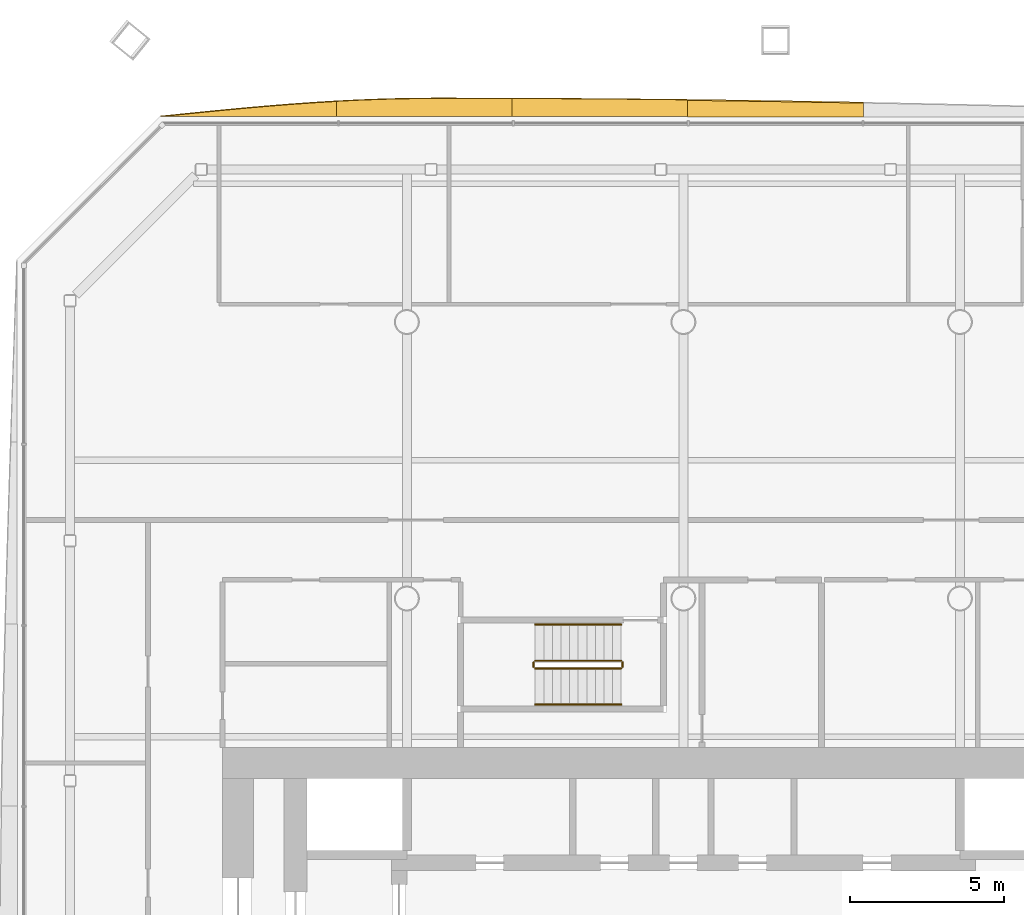
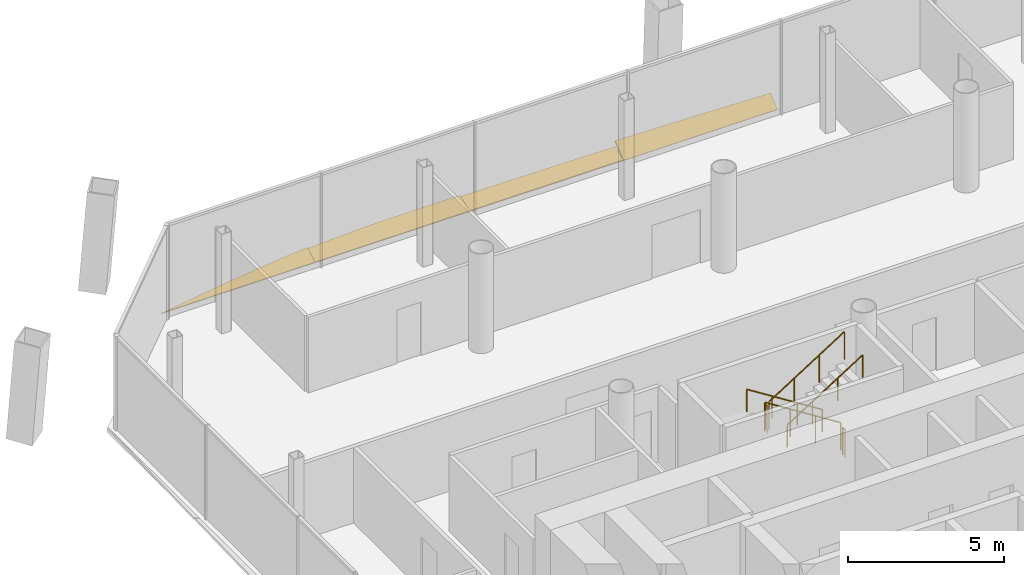
# One storey, part 18 of 19: 6 railings, 4 shading devices.
"""IFC4 building model written with IfcOpenShell, lengths in metres."""

import ifcopenshell
import ifcopenshell.guid

model = None  # the IFC model being written
_history = None  # IfcOwnerHistory: only IFC2X3 demands one
_inside = {}  # id of a spatial element -> (the spatial element, [elements in it])
_under = {}  # id of a project, library or spatial element -> (it, [spatial elements below it])
_declared = {}  # id of a project -> (the project, [libraries it declares])
_typed = {}  # id of a type object -> (the type object, [elements of that type])
_made_of = {}  # id of a material, layer set ... -> (it, [elements and type objects made of it])


def new_model(schema):
    """Start an empty IFC model of exactly this schema.

    Asked for "IFC4X3", IfcOpenShell would pick the latest addendum, in which some entities
    have other attributes; the version numbers below select the first issue.
    IFC2X3 requires an IfcOwnerHistory on every rooted entity: one is made here for all.
    """
    global model, _history
    if schema == "IFC4X3":
        model = ifcopenshell.file(schema_version=(4, 3, 0, 0))
    else:
        model = ifcopenshell.file(schema=schema)
    _inside.clear()
    _under.clear()
    _declared.clear()
    _typed.clear()
    _made_of.clear()
    _history = None
    if model.schema == "IFC2X3":
        org = make("IfcOrganization", Name="unknown")
        user = make(
            "IfcPersonAndOrganization",
            ThePerson=make("IfcPerson", FamilyName="unknown"),
            TheOrganization=org,
        )
        app = make(
            "IfcApplication",
            ApplicationDeveloper=org,
            Version="unknown",
            ApplicationFullName="unknown",
            ApplicationIdentifier="unknown",
        )
        _history = make(
            "IfcOwnerHistory",
            OwningUser=user,
            OwningApplication=app,
            ChangeAction="ADDED",
            CreationDate=0,
        )
    return model


def make(cls, **values):
    """One entity of the class cls with the attributes given. An attribute that is None is left unset."""
    return model.create_entity(
        cls, **{name: value for name, value in values.items() if value is not None}
    )


def rooted(cls, **values):
    """An entity with a GlobalId (a new one), such as an element, a storey or a relation."""
    return make(cls, GlobalId=ifcopenshell.guid.new(), OwnerHistory=_history, **values)


def si_unit(unit_type, name, prefix=None):
    """IfcSIUnit, for example si_unit("LENGTHUNIT", "METRE", prefix="MILLI")."""
    return make("IfcSIUnit", UnitType=unit_type, Prefix=prefix, Name=name)


def assignment(units):
    """IfcUnitAssignment: the units of a project."""
    return None if units is None else make("IfcUnitAssignment", Units=units)


def point(xyz):
    """IfcCartesianPoint."""
    return None if xyz is None else make("IfcCartesianPoint", Coordinates=xyz)


def direction(xyz):
    """IfcDirection."""
    return None if xyz is None else make("IfcDirection", DirectionRatios=xyz)


def frame(location, z_axis=None, x_axis=None):
    """IfcAxis2Placement3D, a coordinate frame: its origin and axes. An axis left out is left unset."""
    return make(
        "IfcAxis2Placement3D",
        Location=point(location),
        Axis=direction(z_axis),
        RefDirection=direction(x_axis),
    )


def frame_2d(location, x_axis=None):
    """IfcAxis2Placement2D, a coordinate frame in the plane: its origin and x axis."""
    return make(
        "IfcAxis2Placement2D", Location=point(location), RefDirection=direction(x_axis)
    )


def origin():
    """The frame at (0, 0, 0) with its axes left unset."""
    return frame((0.0, 0.0, 0.0))


def origin_2d():
    """The frame at (0, 0) in the plane with its x axis left unset."""
    return frame_2d((0.0, 0.0))


def place(relative_to, where):
    """IfcLocalPlacement: puts the frame where relative to a parent placement (None: the world)."""
    return make(
        "IfcLocalPlacement", PlacementRelTo=relative_to, RelativePlacement=where
    )


def context(
    kind, dimensions, precision=None, world=None, true_north=None, identifier=None
):
    """IfcGeometricRepresentationContext, for example the 3D "Model" context."""
    return make(
        "IfcGeometricRepresentationContext",
        ContextIdentifier=identifier,
        ContextType=kind,
        CoordinateSpaceDimension=dimensions,
        Precision=precision,
        WorldCoordinateSystem=world,
        TrueNorth=true_north,
    )


def subcontext(parent, identifier, kind, view, scale=None):
    """IfcGeometricRepresentationSubContext, for example "Body" below "Model"."""
    return make(
        "IfcGeometricRepresentationSubContext",
        ContextIdentifier=identifier,
        ContextType=kind,
        ParentContext=parent,
        TargetScale=scale,
        TargetView=view,
    )


def project(units=None, contexts=None):
    """IfcProject with its units and contexts."""
    return rooted(
        "IfcProject",
        Name="project",
        RepresentationContexts=contexts,
        UnitsInContext=assignment(units),
    )


def spatial(cls, under=None, at=None, **own):
    """A site, building, storey or space (cls), placed at a placement, below another one or the project."""
    s = rooted(cls, ObjectPlacement=at, **own)
    if under is not None:
        _under.setdefault(under.id(), (under, []))[1].append(s)
    return s


def polyline(points):
    """IfcPolyline through the points."""
    return make("IfcPolyline", Points=[point(p) for p in points])


def profile(cls, at=None, kind="AREA", **sizes):
    """A parametric profile (cls). Its sizes go by their IFC names, for example OverallWidth=200.0."""
    return make(cls, ProfileType=kind, Position=at, **sizes)


def circle(**sizes):
    """IfcCircleProfileDef."""
    return profile("IfcCircleProfileDef", **sizes)


def outline(outer, holes=None, kind="AREA"):
    """IfcArbitraryClosedProfileDef: a profile drawn as a closed curve; with holes, ...WithVoids."""
    if holes is None:
        return make("IfcArbitraryClosedProfileDef", ProfileType=kind, OuterCurve=outer)
    return make(
        "IfcArbitraryProfileDefWithVoids",
        ProfileType=kind,
        OuterCurve=outer,
        InnerCurves=holes,
    )


def extrude(swept, where, along, depth):
    """IfcExtrudedAreaSolid: the profile swept, set in the frame where, extruded along a direction by depth."""
    return make(
        "IfcExtrudedAreaSolid",
        SweptArea=swept,
        Position=where,
        ExtrudedDirection=direction(along),
        Depth=depth,
    )


def shape(context_of_items, identifier, shape_type, items):
    """IfcShapeRepresentation: the items that make up one representation, for example the "Body"."""
    return make(
        "IfcShapeRepresentation",
        ContextOfItems=context_of_items,
        RepresentationIdentifier=identifier,
        RepresentationType=shape_type,
        Items=items,
    )


def material(Name=None, Category=None):
    """IfcMaterial."""
    return make("IfcMaterial", Name=Name, Category=Category)


def layer(
    of_material, thickness, ventilated=None, Name=None, Category=None, Priority=None
):
    """IfcMaterialLayer: one layer of a wall or slab, of a material (None: an air gap)."""
    return make(
        "IfcMaterialLayer",
        Material=of_material,
        LayerThickness=thickness,
        IsVentilated=ventilated,
        Name=Name,
        Category=Category,
        Priority=Priority,
    )


def layer_set(layers, Name=None):
    """IfcMaterialLayerSet."""
    return make("IfcMaterialLayerSet", MaterialLayers=layers, LayerSetName=Name)


def made_of(thing, what):
    """Note that an element or type object is made of a material, layer set ...; save() writes the relation."""
    if what is not None:
        _made_of.setdefault(what.id(), (what, []))[1].append(thing)
    return thing


def type_object(cls, material=None, **own):
    """A type object (cls), such as IfcWallType, which elements share."""
    return made_of(rooted(cls, **own), material)


def element(
    cls,
    number,
    at=None,
    inside=None,
    cuts=None,
    type_object=None,
    material=None,
    context=None,
    identifier="Body",
    shape_type=None,
    held_by="IfcProductDefinitionShape",
    body=None,
    shapes=None,
    **own,
):
    """One element of the class cls, such as IfcWall. Its Tag is "e" and its number.

    at: its placement. inside: the storey or other place that contains it. cuts: it is an
    opening in that element (IfcRelVoidsElement). A single representation is given by context,
    identifier, shape_type and body (its items); several are given by shapes. held_by: the class
    of the entity that holds the representations. save() writes the other relations.
    """
    e = rooted(cls, Tag="e%d" % number, ObjectPlacement=at, **own)
    if body is not None:
        shapes = [shape(context, identifier, shape_type, body)]
    if shapes is not None:
        e.Representation = make(held_by, Representations=shapes)
    if inside is not None:
        _inside.setdefault(inside.id(), (inside, []))[1].append(e)
    if cuts is not None:
        rooted(
            "IfcRelVoidsElement", RelatingBuildingElement=cuts, RelatedOpeningElement=e
        )
    if type_object is not None:
        _typed.setdefault(type_object.id(), (type_object, []))[1].append(e)
    return made_of(e, material)


def aggregate(whole, parts):
    """IfcRelAggregates: a whole, such as a stair, and the parts it consists of."""
    return rooted("IfcRelAggregates", RelatingObject=whole, RelatedObjects=parts)


def save(model, path):
    """Write the relations noted so far, then the file.

    IfcRelAggregates (storeys below a building ...), IfcRelContainedInSpatialStructure (elements
    in a storey), IfcRelDefinesByType, IfcRelAssociatesMaterial and IfcRelDeclares: one each for
    every whole, place, type object, material and project.
    """
    for whole, parts in _under.values():
        aggregate(whole, parts)
    for where, things in _inside.values():
        rooted(
            "IfcRelContainedInSpatialStructure",
            RelatedElements=things,
            RelatingStructure=where,
        )
    for kind, things in _typed.values():
        rooted("IfcRelDefinesByType", RelatedObjects=things, RelatingType=kind)
    for what, things in _made_of.values():
        rooted("IfcRelAssociatesMaterial", RelatedObjects=things, RelatingMaterial=what)
    for by, libraries in _declared.values():
        rooted("IfcRelDeclares", RelatingContext=by, RelatedDefinitions=libraries)
    model.write(path)


model = new_model("IFC4")

# Units and contexts
model_context = context("Model", 3, precision=1e-05, world=origin(), true_north=direction((0.0, 1.0)))
body_context = subcontext(model_context, "Body", "Model", "MODEL_VIEW")
ifc_project = project(units=[si_unit("LENGTHUNIT", "METRE"), si_unit("AREAUNIT", "SQUARE_METRE"), si_unit("VOLUMEUNIT", "CUBIC_METRE"), si_unit("PLANEANGLEUNIT", "RADIAN"), si_unit("MASSUNIT", "GRAM", prefix="KILO")], contexts=[model_context])

# Site, building, storey
site_placement = place(None, origin())
site = spatial("IfcSite", under=ifc_project, at=site_placement, CompositionType="ELEMENT")
building_placement = place(site_placement, origin())
building = spatial("IfcBuilding", under=site, at=building_placement, Name="Tskaro Facet Tower", CompositionType="ELEMENT")
storey_placement = place(building_placement, frame((0.0, 0.0, 93.300048828125)))
storey = spatial("IfcBuildingStorey", under=building, at=storey_placement, Name="L22", CompositionType="ELEMENT", Elevation=93.300048828125)

# Shading devices
ifc_material_1 = material(Name="Bronze anodised aluminium 6063-T6", Category="aluminium")
ifc_layer = layer(ifc_material_1, 0.06005859375, Name="Bronze anodised aluminium 6063-T6")
ifc_layer_set = layer_set([ifc_layer], Name="Bronze anodised aluminium 6063-T6")
shading_device_type = type_object("IfcShadingDeviceType", Name="Bronze sun blade (FN1)", PredefinedType="USERDEFINED", material=ifc_layer_set)
shading_device_1_placement = place(storey_placement, frame((5.859619140625, 24.67431640625, 0.0458984375), z_axis=(3.372078e-06, -0.64270061778, 0.766117429572), x_axis=(-0.999999999994, -2.167237e-06, 2.583408e-06)))
element("IfcShadingDevice", 1, at=shading_device_1_placement, inside=storey, type_object=shading_device_type, Name="Fin blade north 4", ObjectType="FIN", PredefinedType="USERDEFINED", context=body_context, shape_type="SweptSolid", body=[
    extrude(outline(polyline([(0.0, 0.0), (5.719238281217484, 0.0), (5.719238281575464, -0.7014874276229784), (5.0043945310753495, -0.6898897844061722), (4.289306640276136, -0.6774172013640984), (3.574462890427824, -0.6640696784967571), (2.8596191409054144, -0.6498472158041482), (2.1447753905490807, -0.6347799443438382), (1.4299316405186495, -0.6188377330582607), (0.7148437501891214, -0.6020205819474156), (2.8138337329349533e-10, -0.5845155313993831), (0.0, 0.0)])), origin(), (0.0, 0.0, -1.0), 0.06005859375),
])
shading_device_2_placement = place(storey_placement, frame((0.140380859375, 24.6923828125, 0.056396484375), z_axis=(-5.654605e-06, -0.341855374984, 0.939752575183), x_axis=(-0.999999999984, 1.933057e-06, -5.313929e-06)))
element("IfcShadingDevice", 2, at=shading_device_2_placement, inside=storey, type_object=shading_device_type, Name="Fin blade north 5", ObjectType="FIN", PredefinedType="USERDEFINED", context=body_context, shape_type="SweptSolid", body=[
    extrude(outline(polyline([(0.0, 0.0), (5.718994140533569, 1.211044115565917e-21), (5.718994140480681, -0.6198681908966551), (5.004150390843648, -0.6164682738184036), (4.2893066402627404, -0.6126094931780439), (3.574462890388774, -0.6076660638436485), (2.8596191408682783, -0.6021803101622352), (2.144531250132381, -0.5956933685716959), (1.4296874999030127, -0.5884346708530847), (0.714843750027115, -0.5806336487874555), (-4.391877005239727e-10, -0.5718314388127004), (0.0, 0.0)])), origin(), (0.0, 0.0, -1.0), 0.06005859375),
])
shading_device_3_placement = place(storey_placement, frame((-5.57861328125, 24.687744140625, 0.054443359375), z_axis=(-3.757859e-06, -0.422530546596, 0.906348684105), x_axis=(-0.999999999993, 1.58781e-06, -3.405931e-06)))
element("IfcShadingDevice", 3, at=shading_device_3_placement, inside=storey, type_object=shading_device_type, Name="Fin blade north 6", ObjectType="FIN", PredefinedType="USERDEFINED", context=body_context, shape_type="SweptSolid", body=[
    extrude(outline(polyline([(0.0, 0.0), (5.719238281209618, 0.0), (5.719238281238241, -0.5454650686805075), (5.004394531296271, -0.5847861099522407), (4.289550781478652, -0.6149332391132862), (3.574462890385086, -0.63546390309523), (2.8596191405409748, -0.645950511620409), (2.470703124750037, -0.6475876414408352), (2.144775390821215, -0.6472632080349002), (1.4299316404948414, -0.6464962215605511), (0.715087890668573, -0.6448590917401248), (-1.141147844296555e-10, -0.6424549754453494), (0.0, 0.0)])), origin(), (0.0, 0.0, -1.0), 0.06005859375),
])
shading_device_4_placement = place(storey_placement, frame((-11.2978515625, 24.68310546875, 0.052001953125), z_axis=(-2.425844e-06, -0.499927416876, 0.866067305612), x_axis=(-0.999999999997, 1.212746e-06, -2.100944e-06)))
element("IfcShadingDevice", 4, at=shading_device_4_placement, inside=storey, type_object=shading_device_type, Name="Fin blade north 7", ObjectType="FIN", PredefinedType="USERDEFINED", context=body_context, shape_type="SweptSolid", body=[
    extrude(outline(polyline([(0.0, 0.0), (5.719238281233173, -1.2110958143542016e-21), (5.004150390698273, -0.08454776240335161), (4.289306640333823, -0.16779420855625712), (3.5744628906782814, -0.24861680145081794), (2.8596191406849396, -0.3252913404100184), (2.1447753904914055, -0.39693939360998187), (1.429687500123217, -0.4625604766348209), (0.71484375007974, -0.5206418310208046), (-4.7179035994705965e-11, -0.5708499619626373), (0.0, 0.0)])), origin(), (0.0, 0.0, -1.0), 0.06005859375),
])

# Railings
ifc_material_2 = material(Name="Stainless steel", Category="steel")
railing_type_1 = type_object("IfcRailingType", Name="RL-GUARD-1100", PredefinedType="GUARDRAIL", material=ifc_material_2)
railing_1_placement = place(storey_placement, frame((-2.02490234375, 6.97509765625, 0.17724609375)))
element("IfcRailing", 5, at=railing_1_placement, inside=storey, type_object=railing_type_1, Name="L22 ST-3 stair guard 1", PredefinedType="GUARDRAIL", context=body_context, shape_type="SweptSolid", body=[
    extrude(circle(Radius=0.02392578125, at=origin_2d()), frame((0.0, 0.0, 1.076171875), z_axis=(-0.844908973607, 0.0, 0.534910110503), x_axis=(0.0, -1.0, 0.0)), (0.0, 0.0, 1.0), 3.31396484375),
    extrude(circle(Radius=0.02099609375, at=origin_2d()), origin(), (0.0, 0.0, 1.0), 1.052001953125),
    extrude(circle(Radius=0.02099609375, at=origin_2d()), frame((-0.933349609375, 0.0, 0.5908203125)), (0.0, 0.0, 1.0), 1.052001953125),
    extrude(circle(Radius=0.02099609375, at=origin_2d()), frame((-1.86669921875, 0.0, 1.181884765625)), (0.0, 0.0, 1.0), 1.052001953125),
    extrude(circle(Radius=0.02099609375, at=origin_2d()), frame((-2.800048828125, 0.0, 1.772705078125)), (0.0, 0.0, 1.0), 1.052001953125),
])
railing_2_placement = place(storey_placement, frame((-4.875, 6.925048828125, 1.949951171875)))
element("IfcRailing", 6, at=railing_2_placement, inside=storey, type_object=railing_type_1, Name="L22 ST-3 stair guard 2", PredefinedType="GUARDRAIL", context=body_context, shape_type="SweptSolid", body=[
    extrude(circle(Radius=0.02392578125, at=origin_2d()), frame((0.0, 0.0, 1.076171875), z_axis=(0.0, -1.0, 0.0), x_axis=(1.0, 0.0, 0.0)), (0.0, 0.0, 1.0), 0.150146484375),
    extrude(circle(Radius=0.02099609375, at=origin_2d()), origin(), (0.0, 0.0, 1.0), 1.052001953125),
    extrude(circle(Radius=0.02099609375, at=origin_2d()), frame((0.0, -0.150146484375, 0.0)), (0.0, 0.0, 1.0), 1.052001953125),
])
railing_3_placement = place(storey_placement, frame((-4.824951171875, 6.72509765625, 2.127197265625)))
element("IfcRailing", 7, at=railing_3_placement, inside=storey, type_object=railing_type_1, Name="L22 ST-3 stair guard 3", PredefinedType="GUARDRAIL", context=body_context, shape_type="SweptSolid", body=[
    extrude(circle(Radius=0.02392578125, at=origin_2d()), frame((0.0, 0.0, 1.076171875), z_axis=(0.844908973607, 0.0, 0.534910110503), x_axis=(0.0, 1.0, 0.0)), (0.0, 0.0, 1.0), 3.31396484375),
    extrude(circle(Radius=0.02099609375, at=origin_2d()), origin(), (0.0, 0.0, 1.0), 1.052001953125),
    extrude(circle(Radius=0.02099609375, at=origin_2d()), frame((0.933349609375, 0.0, 0.5908203125)), (0.0, 0.0, 1.0), 1.052001953125),
    extrude(circle(Radius=0.02099609375, at=origin_2d()), frame((1.86669921875, 0.0, 1.181884765625)), (0.0, 0.0, 1.0), 1.052001953125),
    extrude(circle(Radius=0.02099609375, at=origin_2d()), frame((2.800048828125, 0.0, 1.772705078125)), (0.0, 0.0, 1.0), 1.052001953125),
])
railing_4_placement = place(storey_placement, frame((-1.97509765625, 6.925048828125, 0.0)))
element("IfcRailing", 8, at=railing_4_placement, inside=storey, type_object=railing_type_1, Name="L22 ST-3 stair guard 4", PredefinedType="GUARDRAIL", context=body_context, shape_type="SweptSolid", body=[
    extrude(circle(Radius=0.02392578125, at=origin_2d()), frame((0.0, 0.0, 1.076171875), z_axis=(0.0, -1.0, 0.0), x_axis=(1.0, 0.0, 0.0)), (0.0, 0.0, 1.0), 0.150146484375),
    extrude(circle(Radius=0.02099609375, at=origin_2d()), origin(), (0.0, 0.0, 1.0), 1.052001953125),
    extrude(circle(Radius=0.02099609375, at=origin_2d()), frame((0.0, -0.150146484375, 0.0)), (0.0, 0.0, 1.0), 1.052001953125),
])
railing_type_2 = type_object("IfcRailingType", Name="RL-HANDRAIL-900", PredefinedType="HANDRAIL", material=ifc_material_2)
railing_5_placement = place(storey_placement, frame((-2.02490234375, 8.14990234375, 0.17724609375)))
element("IfcRailing", 9, at=railing_5_placement, inside=storey, type_object=railing_type_2, Name="L22 ST-3 stair handrail 1", PredefinedType="HANDRAIL", context=body_context, shape_type="SweptSolid", body=[
    extrude(circle(Radius=0.02392578125, at=origin_2d()), frame((0.0, 0.0, 0.8759765625), z_axis=(-0.844908973607, 0.0, 0.534910110503), x_axis=(0.0, -1.0, 0.0)), (0.0, 0.0, 1.0), 3.31396484375),
    extrude(circle(Radius=0.02099609375, at=origin_2d()), origin(), (0.0, 0.0, 1.0), 0.851806640625),
    extrude(circle(Radius=0.02099609375, at=origin_2d()), frame((-0.933349609375, 0.0, 0.5908203125)), (0.0, 0.0, 1.0), 0.851806640625),
    extrude(circle(Radius=0.02099609375, at=origin_2d()), frame((-1.86669921875, 0.0, 1.181884765625)), (0.0, 0.0, 1.0), 0.851806640625),
    extrude(circle(Radius=0.02099609375, at=origin_2d()), frame((-2.800048828125, 0.0, 1.772705078125)), (0.0, 0.0, 1.0), 0.851806640625),
])
railing_6_placement = place(storey_placement, frame((-4.824951171875, 5.550048828125, 2.127197265625)))
element("IfcRailing", 10, at=railing_6_placement, inside=storey, type_object=railing_type_2, Name="L22 ST-3 stair handrail 2", PredefinedType="HANDRAIL", context=body_context, shape_type="SweptSolid", body=[
    extrude(circle(Radius=0.02392578125, at=origin_2d()), frame((0.0, 0.0, 0.8759765625), z_axis=(0.844908973607, 0.0, 0.534910110503), x_axis=(0.0, 1.0, 0.0)), (0.0, 0.0, 1.0), 3.31396484375),
    extrude(circle(Radius=0.02099609375, at=origin_2d()), origin(), (0.0, 0.0, 1.0), 0.851806640625),
    extrude(circle(Radius=0.02099609375, at=origin_2d()), frame((0.933349609375, 0.0, 0.5908203125)), (0.0, 0.0, 1.0), 0.851806640625),
    extrude(circle(Radius=0.02099609375, at=origin_2d()), frame((1.86669921875, 0.0, 1.181884765625)), (0.0, 0.0, 1.0), 0.851806640625),
    extrude(circle(Radius=0.02099609375, at=origin_2d()), frame((2.800048828125, 0.0, 1.772705078125)), (0.0, 0.0, 1.0), 0.851806640625),
])

save(model, "model.ifc")
